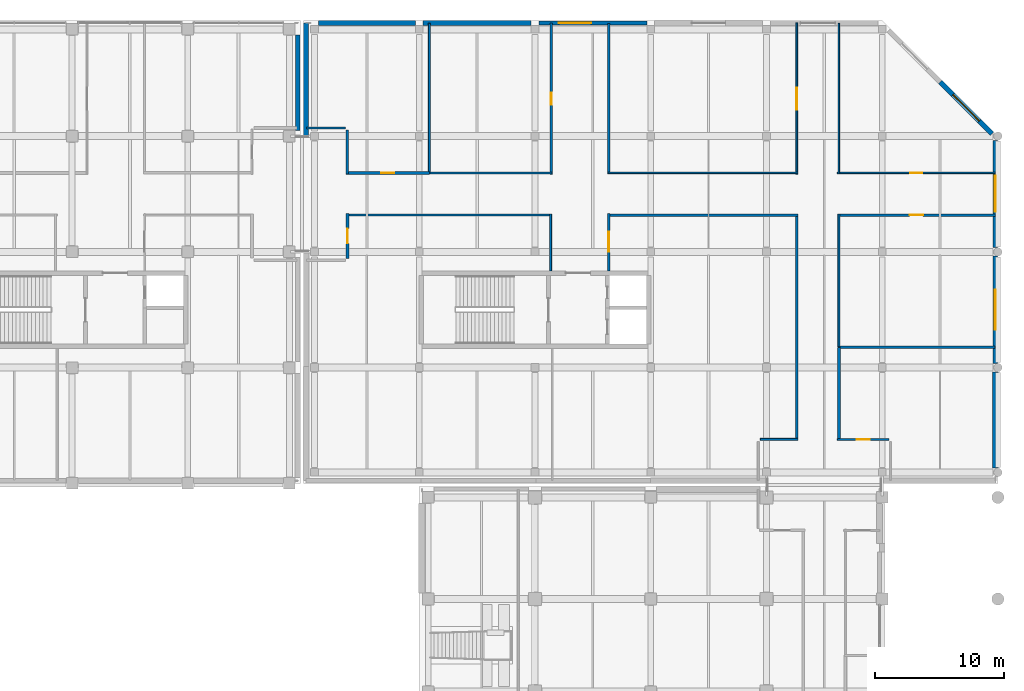
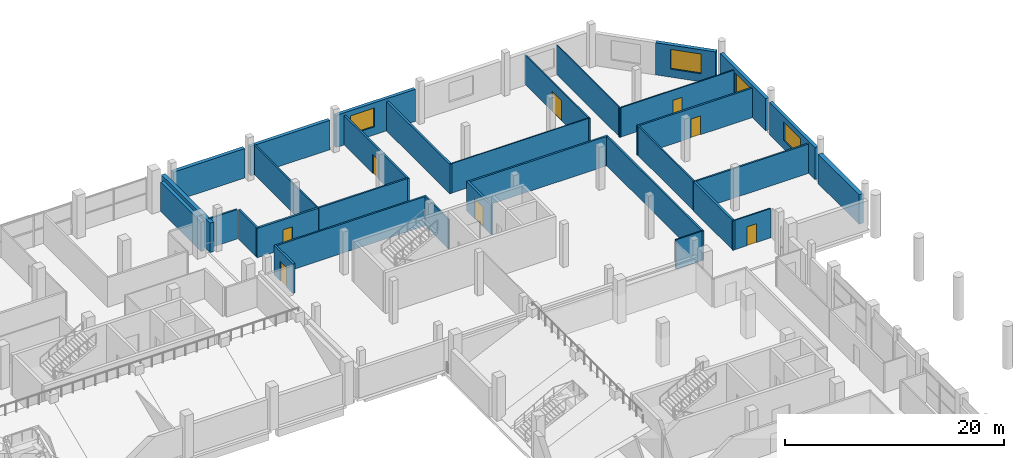
# One storey, part 70 of 100: 32 walls, 8 doors, 4 windows, 12 openings.
"""IFC4 building model written with IfcOpenShell, lengths in metres."""

from ifc_helpers import new_model, si_unit, direction, frame, frame_2d, origin, place, context, subcontext, project, spatial, rectangle, extrude, material, layer, layer_set, type_object, element, fill, save


model = new_model("IFC4")

# Units and contexts
model_context = context("Model", 3, precision=1e-05, world=origin(), true_north=direction((0.0, 1.0)))
body_context = subcontext(model_context, "Body", "Model", "MODEL_VIEW")
ifc_project = project(units=[si_unit("LENGTHUNIT", "METRE"), si_unit("AREAUNIT", "SQUARE_METRE"), si_unit("VOLUMEUNIT", "CUBIC_METRE"), si_unit("PLANEANGLEUNIT", "RADIAN"), si_unit("MASSUNIT", "GRAM", prefix="KILO"), si_unit("THERMODYNAMICTEMPERATUREUNIT", "KELVIN"), si_unit("POWERUNIT", "WATT")], contexts=[model_context])

# Site, building, storey
site_placement = place(None, origin())
site = spatial("IfcSite", under=ifc_project, at=site_placement, CompositionType="ELEMENT")
building_placement = place(site_placement, origin())
building = spatial("IfcBuilding", under=site, at=building_placement, Name="Sindhuravela Promenade Stadium", CompositionType="ELEMENT")
storey_placement = place(building_placement, frame((0.0, 0.0, 4.800048828125)))
storey = spatial("IfcBuildingStorey", under=building, at=storey_placement, Name="L01", CompositionType="ELEMENT", Elevation=4.800048828125)

# Wall, opening, window
ifc_material_1 = material(Name="Terracotta clay brick masonry (15 MPa)", Category="masonry")
ifc_layer_1 = layer(ifc_material_1, 0.340087890625)
ifc_layer_set_1 = layer_set([ifc_layer_1], Name="Terracotta clay brick masonry (15 MPa)")
wall_type_1 = type_object("IfcWallType", Name="EX-WL-BRK340", PredefinedType="SOLIDWALL", material=ifc_layer_set_1)
wall_1_placement = place(storey_placement, frame((180.304931640625, 161.800048828125, 0.0), z_axis=(0.0, 0.0, 1.0), x_axis=(1.0, 0.0, 0.0)))
wall_1 = element("IfcWall", 1, at=wall_1_placement, inside=storey, type_object=wall_type_1, Name="Exterior masonry wall EW06 Pavilion NE L01", PredefinedType="SOLIDWALL", context=body_context, shape_type="SweptSolid", body=[
    extrude(rectangle(XDim=8.39013671875, YDim=0.340087890625, at=frame_2d((4.195068359375, 0.0))), origin(), (0.0, 0.0, 1.0), 3.579833984375),
])
opening_1_placement = place(wall_1_placement, frame((1.552490234375, 0.0, 0.89990234375)))
opening_1 = element("IfcOpeningElement", 2, at=opening_1_placement, cuts=wall_1, Name="Opening W15", PredefinedType="OPENING", context=body_context, shape_type="SweptSolid", body=[
    extrude(rectangle(XDim=2.5, YDim=2.10009765625, at=frame_2d((1.25, 1.050048828125))), frame((0.0, 0.179931640625, 0.0), z_axis=(0.0, -1.0, 0.0), x_axis=(1.0, 0.0, 0.0)), (0.0, 0.0, 1.0), 0.360107421875),
])
ifc_material_2 = material(Name="Tempered laminated low-E glass", Category="glass")
window_type_1 = type_object("IfcWindowType", Name="WN-FAC-2500x2100", PartitioningType="DOUBLE_PANEL_VERTICAL", PredefinedType="WINDOW", material=ifc_material_2)
window_1_placement = place(opening_1_placement, origin())
window_1 = element("IfcWindow", 3, at=window_1_placement, inside=storey, type_object=window_type_1, Name="Window W15 Pavilion NE L01", OverallHeight=2.10009765625, OverallWidth=2.5, PartitioningType="DOUBLE_PANEL_VERTICAL", PredefinedType="WINDOW", context=body_context, shape_type="SweptSolid", body=[
    extrude(rectangle(XDim=2.5, YDim=2.10009765625, at=frame_2d((1.25, 1.050048828125))), frame((0.0, 0.030029296875, 0.0), z_axis=(0.0, -1.0, 0.0), x_axis=(1.0, 0.0, 0.0)), (0.0, 0.0, 1.0), 0.06005859375),
])
fill(opening_1, window_1)

wall_2_placement = place(storey_placement, frame((215.800048828125, 143.669921875, 0.0), z_axis=(0.0, 0.0, 1.0), x_axis=(0.0, -1.0, 0.0)))
wall_2 = element("IfcWall", 4, at=wall_2_placement, inside=storey, type_object=wall_type_1, Name="Exterior masonry wall EW06 Pavilion NE L01", PredefinedType="SOLIDWALL", context=body_context, shape_type="SweptSolid", body=[
    extrude(rectangle(XDim=8.33984375, YDim=0.340087890625, at=frame_2d((4.169921875, 0.0))), origin(), (0.0, 0.0, 1.0), 3.579833984375),
])
opening_2_placement = place(wall_2_placement, frame((2.6201171875, 0.0, 0.89990234375)))
opening_2 = element("IfcOpeningElement", 5, at=opening_2_placement, cuts=wall_2, Name="Opening W21", PredefinedType="OPENING", context=body_context, shape_type="SweptSolid", body=[
    extrude(rectangle(XDim=3.10009765625, YDim=2.10009765625, at=frame_2d((1.550048828125, 1.050048828125))), frame((0.0, 0.179931640625, 0.0), z_axis=(0.0, -1.0, 0.0), x_axis=(1.0, 0.0, 0.0)), (0.0, 0.0, 1.0), 0.360107421875),
])
window_type_2 = type_object("IfcWindowType", Name="WN-FAC-3100x2100", PartitioningType="DOUBLE_PANEL_VERTICAL", PredefinedType="WINDOW", material=ifc_material_2)
window_2_placement = place(opening_2_placement, origin())
window_2 = element("IfcWindow", 6, at=window_2_placement, inside=storey, type_object=window_type_2, Name="Window W21 Pavilion NE L01", OverallHeight=2.10009765625, OverallWidth=3.10009765625, PartitioningType="DOUBLE_PANEL_VERTICAL", PredefinedType="WINDOW", context=body_context, shape_type="SweptSolid", body=[
    extrude(rectangle(XDim=3.10009765625, YDim=2.10009765625, at=frame_2d((1.550048828125, 1.050048828125))), frame((0.0, 0.030029296875, 0.0), z_axis=(0.0, -1.0, 0.0), x_axis=(1.0, 0.0, 0.0)), (0.0, 0.0, 1.0), 0.06005859375),
])
fill(opening_2, window_2)

# Walls
ifc_layer_2 = layer(ifc_material_1, 0.360107421875)
ifc_layer_set_2 = layer_set([ifc_layer_2], Name="Terracotta clay brick masonry (15 MPa)")
wall_type_2 = type_object("IfcWallType", Name="EX-WL-BRK360", PredefinedType="SOLIDWALL", material=ifc_layer_set_2)
wall_3_placement = place(storey_placement, frame((161.550048828125, 160.844970703125, 0.0), z_axis=(0.0, 0.0, 1.0), x_axis=(0.0, -1.0, 0.0)))
element("IfcWall", 7, at=wall_3_placement, inside=storey, type_object=wall_type_2, Name="Exterior masonry wall EW05 NORTH L01", PredefinedType="SOLIDWALL", context=body_context, shape_type="SweptSolid", body=[
    extrude(rectangle(XDim=7.389892578125, YDim=0.360107421875, at=frame_2d((3.69482421875, 0.0))), origin(), (0.0, 0.0, 1.0), 3.280029296875),
])
wall_4_placement = place(storey_placement, frame((171.304931640625, 161.800048828125, 0.0), z_axis=(0.0, 0.0, 1.0), x_axis=(1.0, 0.0, 0.0)))
element("IfcWall", 8, at=wall_4_placement, inside=storey, type_object=wall_type_2, Name="Exterior masonry wall EW05 Pavilion NE L01", PredefinedType="SOLIDWALL", context=body_context, shape_type="SweptSolid", body=[
    extrude(rectangle(XDim=8.39013671875, YDim=0.360107421875, at=frame_2d((4.195068359375, 0.0))), origin(), (0.0, 0.0, 1.0), 3.280029296875),
])

# Wall, opening, window
wall_5_placement = place(storey_placement, frame((215.800048828125, 152.669921875, 0.0), z_axis=(0.0, 0.0, 1.0), x_axis=(0.0, -1.0, 0.0)))
wall_5 = element("IfcWall", 9, at=wall_5_placement, inside=storey, type_object=wall_type_2, Name="Exterior masonry wall EW05 Pavilion NE L01", PredefinedType="SOLIDWALL", context=body_context, shape_type="SweptSolid", body=[
    extrude(rectangle(XDim=8.33984375, YDim=0.360107421875, at=frame_2d((4.169921875, 0.0))), origin(), (0.0, 0.0, 1.0), 3.579833984375),
])
opening_3_placement = place(wall_5_placement, frame((2.77001953125, 0.0, 0.89990234375)))
opening_3 = element("IfcOpeningElement", 10, at=opening_3_placement, cuts=wall_5, Name="Opening W18", PredefinedType="OPENING", context=body_context, shape_type="SweptSolid", body=[
    extrude(rectangle(XDim=2.800048828125, YDim=2.199951171875, at=frame_2d((1.39990234375, 1.10009765625))), frame((0.0, 0.18994140625, 0.0), z_axis=(0.0, -1.0, 0.0), x_axis=(1.0, 0.0, 0.0)), (0.0, 0.0, 1.0), 0.380126953125),
])
window_type_3 = type_object("IfcWindowType", Name="WN-FAC-2800x2200", PartitioningType="DOUBLE_PANEL_VERTICAL", PredefinedType="WINDOW", material=ifc_material_2)
window_3_placement = place(opening_3_placement, origin())
window_3 = element("IfcWindow", 11, at=window_3_placement, inside=storey, type_object=window_type_3, Name="Window W20 Pavilion NE L01", OverallHeight=2.199951171875, OverallWidth=2.800048828125, PartitioningType="DOUBLE_PANEL_VERTICAL", PredefinedType="WINDOW", context=body_context, shape_type="SweptSolid", body=[
    extrude(rectangle(XDim=2.800048828125, YDim=2.199951171875, at=frame_2d((1.39990234375, 1.10009765625))), frame((0.0, 0.030029296875, 0.0), z_axis=(0.0, -1.0, 0.0), x_axis=(1.0, 0.0, 0.0)), (0.0, 0.0, 1.0), 0.06005859375),
])
fill(opening_3, window_3)

# Wall
ifc_layer_3 = layer(ifc_material_1, 0.3798828125)
ifc_layer_set_3 = layer_set([ifc_layer_3], Name="Terracotta clay brick masonry (15 MPa)")
wall_type_3 = type_object("IfcWallType", Name="EX-WL-BRK380", PredefinedType="SOLIDWALL", material=ifc_layer_set_3)
wall_6_placement = place(storey_placement, frame((163.155029296875, 161.800048828125, 0.0), z_axis=(0.0, 0.0, 1.0), x_axis=(1.0, 0.0, 0.0)))
element("IfcWall", 12, at=wall_6_placement, inside=storey, type_object=wall_type_3, Name="Exterior masonry wall EW04 Pavilion NE L01", PredefinedType="SOLIDWALL", context=body_context, shape_type="SweptSolid", body=[
    extrude(rectangle(XDim=7.5400390625, YDim=0.3798828125, at=frame_2d((3.77001953125, 0.0))), origin(), (0.0, 0.0, 1.0), 3.280029296875),
])

# Wall, opening, window
wall_7_placement = place(storey_placement, frame((211.52099609375, 157.196044921875, 0.0), z_axis=(0.0, 0.0, 1.0), x_axis=(0.7071067811865476, -0.7071067811865476, 0.0)))
wall_7 = element("IfcWall", 13, at=wall_7_placement, inside=storey, type_object=wall_type_3, Name="Exterior masonry wall EW04 Pavilion NE L01", PredefinedType="SOLIDWALL", context=body_context, shape_type="SweptSolid", body=[
    extrude(rectangle(XDim=5.669677734375, YDim=0.3798828125, at=frame_2d((2.8349609375, 0.0))), origin(), (0.0, 0.0, 1.0), 3.579833984375),
])
opening_4_placement = place(wall_7_placement, frame((1.384765625, 0.0, 0.89990234375)))
opening_4 = element("IfcOpeningElement", 14, at=opening_4_placement, cuts=wall_7, Name="Opening W19", PredefinedType="OPENING", context=body_context, shape_type="SweptSolid", body=[
    extrude(rectangle(XDim=2.89990234375, YDim=2.199951171875, at=frame_2d((1.449951171875, 1.10009765625))), frame((0.0, 0.199951171875, 0.0), z_axis=(0.0, -1.0, 0.0), x_axis=(1.0, 0.0, 0.0)), (0.0, 0.0, 1.0), 0.39990234375),
])
window_type_4 = type_object("IfcWindowType", Name="WN-FAC-2900x2200", PartitioningType="DOUBLE_PANEL_VERTICAL", PredefinedType="WINDOW", material=ifc_material_2)
window_4_placement = place(opening_4_placement, origin())
window_4 = element("IfcWindow", 15, at=window_4_placement, inside=storey, type_object=window_type_4, Name="Window W19 Pavilion NE L01", OverallHeight=2.199951171875, OverallWidth=2.89990234375, PartitioningType="DOUBLE_PANEL_VERTICAL", PredefinedType="WINDOW", context=body_context, shape_type="SweptSolid", body=[
    extrude(rectangle(XDim=2.89990234375, YDim=2.199951171875, at=frame_2d((1.449951171875, 1.10009765625))), frame((0.0, 0.030029296875, 0.0), z_axis=(0.0, -1.0, 0.0), x_axis=(1.0, 0.0, 0.0)), (0.0, 0.0, 1.0), 0.06005859375),
])
fill(opening_4, window_4)

# Walls
ifc_layer_4 = layer(ifc_material_1, 0.39990234375)
ifc_layer_set_4 = layer_set([ifc_layer_4], Name="Terracotta clay brick masonry (15 MPa)")
wall_type_4 = type_object("IfcWallType", Name="EX-WL-BRK400", PredefinedType="SOLIDWALL", material=ifc_layer_set_4)
wall_8_placement = place(storey_placement, frame((162.199951171875, 152.89990234375, 0.0), z_axis=(0.0, 0.0, 1.0), x_axis=(0.0, 1.0, 0.0)))
element("IfcWall", 16, at=wall_8_placement, inside=storey, type_object=wall_type_4, Name="Exterior masonry wall EW03 Pavilion NE L01", PredefinedType="SOLIDWALL", context=body_context, shape_type="SweptSolid", body=[
    extrude(rectangle(XDim=8.900146484375, YDim=0.39990234375, at=frame_2d((4.4501953125, 0.0))), origin(), (0.0, 0.0, 1.0), 3.280029296875),
])
ifc_layer_5 = layer(ifc_material_1, 0.4599609375)
ifc_layer_set_5 = layer_set([ifc_layer_5], Name="Terracotta clay brick masonry (15 MPa)")
wall_type_5 = type_object("IfcWallType", Name="EX-WL-BRK460", PredefinedType="SOLIDWALL", material=ifc_layer_set_5)
wall_9_placement = place(storey_placement, frame((215.800048828125, 134.669921875, 0.0), z_axis=(0.0, 0.0, 1.0), x_axis=(0.0, -1.0, 0.0)))
element("IfcWall", 17, at=wall_9_placement, inside=storey, type_object=wall_type_5, Name="Exterior masonry wall EW01 Pavilion NE L01", PredefinedType="SOLIDWALL", context=body_context, shape_type="SweptSolid", body=[
    extrude(rectangle(XDim=7.489990234375, YDim=0.4599609375, at=frame_2d((3.7451171875, 0.0))), origin(), (0.0, 0.0, 1.0), 3.280029296875),
])
ifc_material_3 = material(Name="Fire-rated gypsum partition board", Category="gypsum")
ifc_layer_6 = layer(ifc_material_3, 0.110107421875)
ifc_layer_set_6 = layer_set([ifc_layer_6], Name="Fire-rated gypsum partition board")
wall_type_6 = type_object("IfcWallType", Name="IN-WL-PAR110", PredefinedType="PARTITIONING", material=ifc_layer_set_6)
wall_10_placement = place(storey_placement, frame((200.43994140625, 150.139892578125, 0.0), z_axis=(0.0, 0.0, 1.0), x_axis=(-1.0, 0.0, 0.0)))
element("IfcWall", 18, at=wall_10_placement, inside=storey, type_object=wall_type_6, Name="Interior partition IW06 Pavilion NE L01", PredefinedType="PARTITIONING", context=body_context, shape_type="SweptSolid", body=[
    extrude(rectangle(XDim=14.780029296875, YDim=0.110107421875, at=frame_2d((7.39013671875, 0.0))), origin(), (0.0, 0.0, 1.0), 3.280029296875),
])
wall_11_placement = place(storey_placement, frame((203.639892578125, 150.06005859375, 0.0), z_axis=(0.0, 0.0, 1.0), x_axis=(0.0, 1.0, 0.0)))
element("IfcWall", 19, at=wall_11_placement, inside=storey, type_object=wall_type_6, Name="Interior partition IW06 Pavilion NE L01", PredefinedType="PARTITIONING", context=body_context, shape_type="SweptSolid", body=[
    extrude(rectangle(XDim=11.699951171875, YDim=0.110107421875, at=frame_2d((5.85009765625, 0.0))), origin(), (0.0, 0.0, 1.0), 3.280029296875),
])

# Wall, opening, door
ifc_layer_7 = layer(ifc_material_3, 0.1298828125)
ifc_layer_set_7 = layer_set([ifc_layer_7], Name="Fire-rated gypsum partition board")
wall_type_7 = type_object("IfcWallType", Name="IN-WL-PAR130", PredefinedType="PARTITIONING", material=ifc_layer_set_7)
wall_12_placement = place(storey_placement, frame((200.360107421875, 150.02001953125, 0.0), z_axis=(0.0, 0.0, 1.0), x_axis=(0.0, 1.0, 0.0)))
wall_12 = element("IfcWall", 20, at=wall_12_placement, inside=storey, type_object=wall_type_7, Name="Corridor partition IW05 Refreshment Counter NE L01", PredefinedType="PARTITIONING", context=body_context, shape_type="SweptSolid", body=[
    extrude(rectangle(XDim=11.780029296875, YDim=0.1298828125, at=frame_2d((5.89013671875, 0.0))), origin(), (0.0, 0.0, 1.0), 3.280029296875),
])
opening_5_placement = place(wall_12_placement, frame((5.0400390625, 0.0, 0.0)))
opening_5 = element("IfcOpeningElement", 21, at=opening_5_placement, cuts=wall_12, Name="Opening ID01", PredefinedType="OPENING", context=body_context, shape_type="SweptSolid", body=[
    extrude(rectangle(XDim=1.699951171875, YDim=2.199951171875, at=frame_2d((0.85009765625, 1.10009765625))), frame((0.0, 0.074951171875, 0.0), z_axis=(0.0, -1.0, 0.0), x_axis=(1.0, 0.0, 0.0)), (0.0, 0.0, 1.0), 0.14990234375),
])
ifc_material_4 = material(Name="Architectural teak timber leaf", Category="wood")
door_type_1 = type_object("IfcDoorType", Name="DR-INT-1700x2200", OperationType="DOUBLE_DOOR_SINGLE_SWING", PredefinedType="DOOR", material=ifc_material_4)
door_1_placement = place(opening_5_placement, origin())
door_1 = element("IfcDoor", 22, at=door_1_placement, inside=storey, type_object=door_type_1, Name="Refreshment Counter NE L01 door", OperationType="DOUBLE_DOOR_SINGLE_SWING", OverallHeight=2.199951171875, OverallWidth=1.699951171875, PredefinedType="DOOR", context=body_context, shape_type="SweptSolid", body=[
    extrude(rectangle(XDim=1.699951171875, YDim=2.199951171875, at=frame_2d((0.85009765625, 1.10009765625))), frame((0.0, 0.02490234375, 0.0), z_axis=(0.0, -1.0, 0.0), x_axis=(1.0, 0.0, 0.0)), (0.0, 0.0, 1.0), 0.050048828125),
])
fill(opening_5, door_1)

wall_13_placement = place(storey_placement, frame((203.52001953125, 129.409912109375, 0.0), z_axis=(0.0, 0.0, 1.0), x_axis=(1.0, 0.0, 0.0)))
wall_13 = element("IfcWall", 23, at=wall_13_placement, inside=storey, type_object=wall_type_7, Name="Corridor partition IW05 Gate Concourse Foyer NE L01 2", PredefinedType="PARTITIONING", context=body_context, shape_type="SweptSolid", body=[
    extrude(rectangle(XDim=4.0, YDim=0.1298828125, at=frame_2d((2.0, 0.0))), origin(), (0.0, 0.0, 1.0), 3.280029296875),
])
opening_6_placement = place(wall_13_placement, frame((1.5, 0.0, 0.0)))
opening_6 = element("IfcOpeningElement", 24, at=opening_6_placement, cuts=wall_13, Name="Opening ID08", PredefinedType="OPENING", context=body_context, shape_type="SweptSolid", body=[
    extrude(rectangle(XDim=1.0, YDim=2.10009765625, at=frame_2d((0.5, 1.050048828125))), frame((0.0, 0.074951171875, 0.0), z_axis=(0.0, -1.0, 0.0), x_axis=(1.0, 0.0, 0.0)), (0.0, 0.0, 1.0), 0.14990234375),
])
door_type_2 = type_object("IfcDoorType", Name="DR-INT-1000x2100", OperationType="NOTDEFINED", PredefinedType="DOOR", material=ifc_material_4)
door_2_placement = place(opening_6_placement, origin())
door_2 = element("IfcDoor", 25, at=door_2_placement, inside=storey, type_object=door_type_2, Name="Gate Concourse Foyer NE L01 2 door", OperationType="SINGLE_SWING_LEFT", OverallHeight=2.10009765625, OverallWidth=1.0, PredefinedType="DOOR", context=body_context, shape_type="SweptSolid", body=[
    extrude(rectangle(XDim=1.0, YDim=2.10009765625, at=frame_2d((0.5, 1.050048828125))), frame((0.0, 0.02490234375, 0.0), z_axis=(0.0, -1.0, 0.0), x_axis=(1.0, 0.0, 0.0)), (0.0, 0.0, 1.0), 0.050048828125),
])
fill(opening_6, door_2)

wall_14_placement = place(storey_placement, frame((203.52001953125, 150.139892578125, 0.0), z_axis=(0.0, 0.0, 1.0), x_axis=(1.0, 0.0, 0.0)))
wall_14 = element("IfcWall", 26, at=wall_14_placement, inside=storey, type_object=wall_type_7, Name="Corridor partition IW05 Refreshment Counter NE L01 4", PredefinedType="PARTITIONING", context=body_context, shape_type="SweptSolid", body=[
    extrude(rectangle(XDim=12.280029296875, YDim=0.1298828125, at=frame_2d((6.14013671875, 0.0))), origin(), (0.0, 0.0, 1.0), 3.280029296875),
])
opening_7_placement = place(wall_14_placement, frame((5.6650390625, 0.0, 0.0)))
opening_7 = element("IfcOpeningElement", 27, at=opening_7_placement, cuts=wall_14, Name="Opening ID10", PredefinedType="OPENING", context=body_context, shape_type="SweptSolid", body=[
    extrude(rectangle(XDim=0.949951171875, YDim=2.179931640625, at=frame_2d((0.47509765625, 1.08984375))), frame((0.0, 0.074951171875, 0.0), z_axis=(0.0, -1.0, 0.0), x_axis=(1.0, 0.0, 0.0)), (0.0, 0.0, 1.0), 0.14990234375),
])
door_type_3 = type_object("IfcDoorType", Name="DR-INT-950x2180", OperationType="NOTDEFINED", PredefinedType="DOOR", material=ifc_material_4)
door_3_placement = place(opening_7_placement, origin())
door_3 = element("IfcDoor", 28, at=door_3_placement, inside=storey, type_object=door_type_3, Name="Refreshment Counter NE L01 4 door", OperationType="SINGLE_SWING_LEFT", OverallHeight=2.179931640625, OverallWidth=0.949951171875, PredefinedType="DOOR", context=body_context, shape_type="SweptSolid", body=[
    extrude(rectangle(XDim=0.949951171875, YDim=2.179931640625, at=frame_2d((0.47509765625, 1.08984375))), frame((0.0, 0.02490234375, 0.0), z_axis=(0.0, -1.0, 0.0), x_axis=(1.0, 0.0, 0.0)), (0.0, 0.0, 1.0), 0.050048828125),
])
fill(opening_7, door_3)

# Walls
ifc_layer_8 = layer(ifc_material_3, 0.14990234375)
ifc_layer_set_8 = layer_set([ifc_layer_8], Name="Fire-rated gypsum partition board")
wall_type_8 = type_object("IfcWallType", Name="IN-WL-PAR150", PredefinedType="PARTITIONING", material=ifc_layer_set_8)
wall_15_placement = place(storey_placement, frame((200.43994140625, 129.409912109375, 0.0), z_axis=(0.0, 0.0, 1.0), x_axis=(-1.0, 0.0, 0.0)))
element("IfcWall", 29, at=wall_15_placement, inside=storey, type_object=wall_type_8, Name="Interior partition IW04 Pavilion NE L01", PredefinedType="PARTITIONING", context=body_context, shape_type="SweptSolid", body=[
    extrude(rectangle(XDim=2.919921875, YDim=0.14990234375, at=frame_2d((1.4599609375, 0.0))), origin(), (0.0, 0.0, 1.0), 3.280029296875),
])
wall_16_placement = place(storey_placement, frame((181.219970703125, 146.93994140625, 0.0), z_axis=(0.0, 0.0, 1.0), x_axis=(0.0, -1.0, 0.0)))
element("IfcWall", 30, at=wall_16_placement, inside=storey, type_object=wall_type_8, Name="Interior partition IW04 Pavilion NE L01", PredefinedType="PARTITIONING", context=body_context, shape_type="SweptSolid", body=[
    extrude(rectangle(XDim=4.412841796875, YDim=0.14990234375, at=frame_2d((2.20654296875, 0.0))), origin(), (0.0, 0.0, 1.0), 3.280029296875),
])
wall_17_placement = place(storey_placement, frame((203.639892578125, 136.6298828125, 0.0), z_axis=(0.0, 0.0, 1.0), x_axis=(0.0, 1.0, 0.0)))
element("IfcWall", 31, at=wall_17_placement, inside=storey, type_object=wall_type_8, Name="Interior partition IW04 Pavilion NE L01", PredefinedType="PARTITIONING", context=body_context, shape_type="SweptSolid", body=[
    extrude(rectangle(XDim=10.31005859375, YDim=0.14990234375, at=frame_2d((5.155029296875, 0.0))), origin(), (0.0, 0.0, 1.0), 3.280029296875),
])
wall_18_placement = place(storey_placement, frame((171.7900390625, 150.06005859375, 0.0), z_axis=(0.0, 0.0, 1.0), x_axis=(0.0, 1.0, 0.0)))
element("IfcWall", 32, at=wall_18_placement, inside=storey, type_object=wall_type_8, Name="Interior partition IW04 Pavilion NE L01", PredefinedType="PARTITIONING", context=body_context, shape_type="SweptSolid", body=[
    extrude(rectangle(XDim=11.699951171875, YDim=0.14990234375, at=frame_2d((5.85009765625, 0.0))), origin(), (0.0, 0.0, 1.0), 3.280029296875),
])
ifc_layer_9 = layer(ifc_material_3, 0.175048828125)
ifc_layer_set_9 = layer_set([ifc_layer_9], Name="Fire-rated gypsum partition board")
wall_type_9 = type_object("IfcWallType", Name="IN-WL-PAR175", PredefinedType="PARTITIONING", material=ifc_layer_set_9)
wall_19_placement = place(storey_placement, frame((200.360107421875, 146.93994140625, 0.0), z_axis=(0.0, 0.0, 1.0), x_axis=(0.0, -1.0, 0.0)))
element("IfcWall", 33, at=wall_19_placement, inside=storey, type_object=wall_type_9, Name="Interior partition IW03 Pavilion NE L01", PredefinedType="PARTITIONING", context=body_context, shape_type="SweptSolid", body=[
    extrude(rectangle(XDim=17.60986328125, YDim=0.175048828125, at=frame_2d((8.804931640625, 0.0))), origin(), (0.0, 0.0, 1.0), 3.280029296875),
])
wall_20_placement = place(storey_placement, frame((165.330078125, 146.860107421875, 0.0), z_axis=(0.0, 0.0, 1.0), x_axis=(1.0, 0.0, 0.0)))
element("IfcWall", 34, at=wall_20_placement, inside=storey, type_object=wall_type_9, Name="Interior partition IW03 Pavilion NE L01", PredefinedType="PARTITIONING", context=body_context, shape_type="SweptSolid", body=[
    extrude(rectangle(XDim=15.969970703125, YDim=0.175048828125, at=frame_2d((7.98486328125, 0.0))), origin(), (0.0, 0.0, 1.0), 3.280029296875),
])
wall_21_placement = place(storey_placement, frame((215.760009765625, 136.590087890625, 0.0), z_axis=(0.0, 0.0, 1.0), x_axis=(-1.0, 0.0, 0.0)))
element("IfcWall", 35, at=wall_21_placement, inside=storey, type_object=wall_type_9, Name="Interior partition IW03 Pavilion NE L01", PredefinedType="PARTITIONING", context=body_context, shape_type="SweptSolid", body=[
    extrude(rectangle(XDim=12.199951171875, YDim=0.175048828125, at=frame_2d((6.10009765625, 0.0))), origin(), (0.0, 0.0, 1.0), 3.280029296875),
])
wall_22_placement = place(storey_placement, frame((181.340087890625, 150.139892578125, 0.0), z_axis=(0.0, 0.0, 1.0), x_axis=(-1.0, 0.0, 0.0)))
element("IfcWall", 36, at=wall_22_placement, inside=storey, type_object=wall_type_9, Name="Interior partition IW03 Pavilion NE L01", PredefinedType="PARTITIONING", context=body_context, shape_type="SweptSolid", body=[
    extrude(rectangle(XDim=9.510009765625, YDim=0.175048828125, at=frame_2d((4.7548828125, 0.0))), origin(), (0.0, 0.0, 1.0), 3.280029296875),
])
wall_23_placement = place(storey_placement, frame((165.25, 153.639892578125, 0.0), z_axis=(0.0, 0.0, 1.0), x_axis=(-1.0, 0.0, 0.0)))
element("IfcWall", 37, at=wall_23_placement, inside=storey, type_object=wall_type_9, Name="Interior partition IW03 Pavilion NE L01", PredefinedType="PARTITIONING", context=body_context, shape_type="SweptSolid", body=[
    extrude(rectangle(XDim=3.010009765625, YDim=0.175048828125, at=frame_2d((1.5048828125, 0.0))), origin(), (0.0, 0.0, 1.0), 3.280029296875),
])
ifc_layer_10 = layer(ifc_material_3, 0.195068359375)
ifc_layer_set_10 = layer_set([ifc_layer_10], Name="Fire-rated gypsum partition board")
wall_type_10 = type_object("IfcWallType", Name="IN-WL-PAR195", PredefinedType="PARTITIONING", material=ifc_layer_set_10)
wall_24_placement = place(storey_placement, frame((185.659912109375, 146.860107421875, 0.0), z_axis=(0.0, 0.0, 1.0), x_axis=(1.0, 0.0, 0.0)))
element("IfcWall", 38, at=wall_24_placement, inside=storey, type_object=wall_type_10, Name="Interior partition IW02 Pavilion NE L01", PredefinedType="PARTITIONING", context=body_context, shape_type="SweptSolid", body=[
    extrude(rectangle(XDim=14.780029296875, YDim=0.195068359375, at=frame_2d((7.39013671875, 0.0))), origin(), (0.0, 0.0, 1.0), 3.280029296875),
])

# Wall, opening, door
wall_25_placement = place(storey_placement, frame((215.800048828125, 146.860107421875, 0.0), z_axis=(0.0, 0.0, 1.0), x_axis=(-1.0, 0.0, 0.0)))
wall_25 = element("IfcWall", 39, at=wall_25_placement, inside=storey, type_object=wall_type_10, Name="Corridor partition IW02 Accessible WC NE L01", PredefinedType="PARTITIONING", context=body_context, shape_type="SweptSolid", body=[
    extrude(rectangle(XDim=12.280029296875, YDim=0.195068359375, at=frame_2d((6.14013671875, 0.0))), origin(), (0.0, 0.0, 1.0), 3.280029296875),
])
opening_8_placement = place(wall_25_placement, frame((5.614990234375, 0.0, 0.0)))
opening_8 = element("IfcOpeningElement", 40, at=opening_8_placement, cuts=wall_25, Name="Opening ID07", PredefinedType="OPENING", context=body_context, shape_type="SweptSolid", body=[
    extrude(rectangle(XDim=1.050048828125, YDim=2.10009765625, at=frame_2d((0.52490234375, 1.050048828125))), frame((0.0, 0.107421875, 0.0), z_axis=(0.0, -1.0, 0.0), x_axis=(1.0, 0.0, 0.0)), (0.0, 0.0, 1.0), 0.215087890625),
])
door_type_4 = type_object("IfcDoorType", Name="DR-INT-1050x2100", OperationType="NOTDEFINED", PredefinedType="DOOR", material=ifc_material_4)
door_4_placement = place(opening_8_placement, origin())
door_4 = element("IfcDoor", 41, at=door_4_placement, inside=storey, type_object=door_type_4, Name="Accessible WC NE L01 door", OperationType="SINGLE_SWING_RIGHT", OverallHeight=2.10009765625, OverallWidth=1.050048828125, PredefinedType="DOOR", context=body_context, shape_type="SweptSolid", body=[
    extrude(rectangle(XDim=1.050048828125, YDim=2.10009765625, at=frame_2d((0.52490234375, 1.050048828125))), frame((0.0, 0.02490234375, 0.0), z_axis=(0.0, -1.0, 0.0), x_axis=(1.0, 0.0, 0.0)), (0.0, 0.0, 1.0), 0.050048828125),
])
fill(opening_8, door_4)

wall_26_placement = place(storey_placement, frame((181.260009765625, 150.02001953125, 0.0), z_axis=(0.0, 0.0, 1.0), x_axis=(0.0, 1.0, 0.0)))
wall_26 = element("IfcWall", 42, at=wall_26_placement, inside=storey, type_object=wall_type_10, Name="Corridor partition IW02 Supporters Information Lounge NE 3", PredefinedType="PARTITIONING", context=body_context, shape_type="SweptSolid", body=[
    extrude(rectangle(XDim=11.780029296875, YDim=0.195068359375, at=frame_2d((5.89013671875, 0.0))), origin(), (0.0, 0.0, 1.0), 3.280029296875),
])
opening_9_placement = place(wall_26_placement, frame((5.4150390625, 0.0, 0.0)))
opening_9 = element("IfcOpeningElement", 43, at=opening_9_placement, cuts=wall_26, Name="Opening ID09", PredefinedType="OPENING", context=body_context, shape_type="SweptSolid", body=[
    extrude(rectangle(XDim=0.949951171875, YDim=2.10009765625, at=frame_2d((0.47509765625, 1.050048828125))), frame((0.0, 0.107421875, 0.0), z_axis=(0.0, -1.0, 0.0), x_axis=(1.0, 0.0, 0.0)), (0.0, 0.0, 1.0), 0.215087890625),
])
door_type_5 = type_object("IfcDoorType", Name="DR-INT-950x2100", OperationType="NOTDEFINED", PredefinedType="DOOR", material=ifc_material_4)
door_5_placement = place(opening_9_placement, origin())
door_5 = element("IfcDoor", 44, at=door_5_placement, inside=storey, type_object=door_type_5, Name="Supporters Information Lounge NE 3 door", OperationType="SINGLE_SWING_RIGHT", OverallHeight=2.10009765625, OverallWidth=0.949951171875, PredefinedType="DOOR", context=body_context, shape_type="SweptSolid", body=[
    extrude(rectangle(XDim=0.949951171875, YDim=2.10009765625, at=frame_2d((0.47509765625, 1.050048828125))), frame((0.0, 0.02490234375, 0.0), z_axis=(0.0, -1.0, 0.0), x_axis=(1.0, 0.0, 0.0)), (0.0, 0.0, 1.0), 0.050048828125),
])
fill(opening_9, door_5)

# Wall
wall_27_placement = place(storey_placement, frame((165.409912109375, 150.06005859375, 0.0), z_axis=(0.0, 0.0, 1.0), x_axis=(0.0, 1.0, 0.0)))
element("IfcWall", 45, at=wall_27_placement, inside=storey, type_object=wall_type_10, Name="Interior partition IW02 Pavilion NE L01", PredefinedType="PARTITIONING", context=body_context, shape_type="SweptSolid", body=[
    extrude(rectangle(XDim=3.419921875, YDim=0.195068359375, at=frame_2d((1.7099609375, 0.0))), origin(), (0.0, 0.0, 1.0), 3.280029296875),
])

# Wall, opening, door
ifc_layer_11 = layer(ifc_material_3, 0.219970703125)
ifc_layer_set_11 = layer_set([ifc_layer_11], Name="Fire-rated gypsum partition board")
wall_type_11 = type_object("IfcWallType", Name="IN-WL-PAR220", PredefinedType="PARTITIONING", material=ifc_layer_set_11)
wall_28_placement = place(storey_placement, frame((185.739990234375, 146.97998046875, 0.0), z_axis=(0.0, 0.0, 1.0), x_axis=(0.0, -1.0, 0.0)))
wall_28 = element("IfcWall", 46, at=wall_28_placement, inside=storey, type_object=wall_type_11, Name="Corridor partition IW01 Gate Concourse Foyer NE L01", PredefinedType="PARTITIONING", context=body_context, shape_type="SweptSolid", body=[
    extrude(rectangle(XDim=4.452880859375, YDim=0.219970703125, at=frame_2d((2.2265625, 0.0))), origin(), (0.0, 0.0, 1.0), 3.280029296875),
])
opening_10_placement = place(wall_28_placement, frame((1.425048828125, 0.0, 0.0)))
opening_10 = element("IfcOpeningElement", 47, at=opening_10_placement, cuts=wall_28, Name="Opening ID02", PredefinedType="OPENING", context=body_context, shape_type="SweptSolid", body=[
    extrude(rectangle(XDim=1.550048828125, YDim=2.199951171875, at=frame_2d((0.77490234375, 1.10009765625))), frame((0.0, 0.119873046875, 0.0), z_axis=(0.0, -1.0, 0.0), x_axis=(1.0, 0.0, 0.0)), (0.0, 0.0, 1.0), 0.239990234375),
])
door_type_6 = type_object("IfcDoorType", Name="DR-INT-1550x2200", OperationType="DOUBLE_DOOR_SINGLE_SWING", PredefinedType="DOOR", material=ifc_material_4)
door_6_placement = place(opening_10_placement, origin())
door_6 = element("IfcDoor", 48, at=door_6_placement, inside=storey, type_object=door_type_6, Name="Gate Concourse Foyer NE L01 door", OperationType="DOUBLE_DOOR_SINGLE_SWING", OverallHeight=2.199951171875, OverallWidth=1.550048828125, PredefinedType="DOOR", context=body_context, shape_type="SweptSolid", body=[
    extrude(rectangle(XDim=1.550048828125, YDim=2.199951171875, at=frame_2d((0.77490234375, 1.10009765625))), frame((0.0, 0.02490234375, 0.0), z_axis=(0.0, -1.0, 0.0), x_axis=(1.0, 0.0, 0.0)), (0.0, 0.0, 1.0), 0.050048828125),
])
fill(opening_10, door_6)

wall_29_placement = place(storey_placement, frame((165.409912109375, 146.97998046875, 0.0), z_axis=(0.0, 0.0, 1.0), x_axis=(0.0, -1.0, 0.0)))
wall_29 = element("IfcWall", 49, at=wall_29_placement, inside=storey, type_object=wall_type_11, Name="Corridor partition IW01 Supporters Information Lounge NE", PredefinedType="PARTITIONING", context=body_context, shape_type="SweptSolid", body=[
    extrude(rectangle(XDim=3.5, YDim=0.219970703125, at=frame_2d((1.75, 0.0))), origin(), (0.0, 0.0, 1.0), 3.280029296875),
])
opening_11_placement = place(wall_29_placement, frame((1.175048828125, 0.0, 0.0)))
opening_11 = element("IfcOpeningElement", 50, at=opening_11_placement, cuts=wall_29, Name="Opening ID05", PredefinedType="OPENING", context=body_context, shape_type="SweptSolid", body=[
    extrude(rectangle(XDim=1.14990234375, YDim=2.14990234375, at=frame_2d((0.574951171875, 1.074951171875))), frame((0.0, 0.119873046875, 0.0), z_axis=(0.0, -1.0, 0.0), x_axis=(1.0, 0.0, 0.0)), (0.0, 0.0, 1.0), 0.239990234375),
])
door_type_7 = type_object("IfcDoorType", Name="DR-INT-1150x2150", OperationType="NOTDEFINED", PredefinedType="DOOR", material=ifc_material_4)
door_7_placement = place(opening_11_placement, origin())
door_7 = element("IfcDoor", 51, at=door_7_placement, inside=storey, type_object=door_type_7, Name="Supporters Information Lounge NE door", OperationType="SINGLE_SWING_LEFT", OverallHeight=2.14990234375, OverallWidth=1.14990234375, PredefinedType="DOOR", context=body_context, shape_type="SweptSolid", body=[
    extrude(rectangle(XDim=1.14990234375, YDim=2.14990234375, at=frame_2d((0.574951171875, 1.074951171875))), frame((0.0, 0.02490234375, 0.0), z_axis=(0.0, -1.0, 0.0), x_axis=(1.0, 0.0, 0.0)), (0.0, 0.0, 1.0), 0.050048828125),
])
fill(opening_11, door_7)

# Walls
wall_30_placement = place(storey_placement, frame((185.739990234375, 150.06005859375, 0.0), z_axis=(0.0, 0.0, 1.0), x_axis=(0.0, 1.0, 0.0)))
element("IfcWall", 52, at=wall_30_placement, inside=storey, type_object=wall_type_11, Name="Interior partition IW01 Pavilion NE L01", PredefinedType="PARTITIONING", context=body_context, shape_type="SweptSolid", body=[
    extrude(rectangle(XDim=11.699951171875, YDim=0.219970703125, at=frame_2d((5.85009765625, 0.0))), origin(), (0.0, 0.0, 1.0), 3.280029296875),
])
wall_31_placement = place(storey_placement, frame((203.639892578125, 129.330078125, 0.0), z_axis=(0.0, 0.0, 1.0), x_axis=(0.0, 1.0, 0.0)))
element("IfcWall", 53, at=wall_31_placement, inside=storey, type_object=wall_type_11, Name="Interior partition IW01 Pavilion NE L01", PredefinedType="PARTITIONING", context=body_context, shape_type="SweptSolid", body=[
    extrude(rectangle(XDim=7.219970703125, YDim=0.219970703125, at=frame_2d((3.60986328125, 0.0))), origin(), (0.0, 0.0, 1.0), 3.280029296875),
])

# Wall, opening, door
wall_32_placement = place(storey_placement, frame((165.2900390625, 150.139892578125, 0.0), z_axis=(0.0, 0.0, 1.0), x_axis=(1.0, 0.0, 0.0)))
wall_32 = element("IfcWall", 54, at=wall_32_placement, inside=storey, type_object=wall_type_11, Name="Corridor partition IW01 Accessible WC NE L01 5", PredefinedType="PARTITIONING", context=body_context, shape_type="SweptSolid", body=[
    extrude(rectangle(XDim=6.5, YDim=0.219970703125, at=frame_2d((3.25, 0.0))), origin(), (0.0, 0.0, 1.0), 3.280029296875),
])
opening_12_placement = place(wall_32_placement, frame((2.739990234375, 0.0, 0.0)))
opening_12 = element("IfcOpeningElement", 55, at=opening_12_placement, cuts=wall_32, Name="Opening ID11", PredefinedType="OPENING", context=body_context, shape_type="SweptSolid", body=[
    extrude(rectangle(XDim=1.02001953125, YDim=2.159912109375, at=frame_2d((0.510009765625, 1.080078125))), frame((0.0, 0.119873046875, 0.0), z_axis=(0.0, -1.0, 0.0), x_axis=(1.0, 0.0, 0.0)), (0.0, 0.0, 1.0), 0.239990234375),
])
door_type_8 = type_object("IfcDoorType", Name="DR-INT-1020x2160", OperationType="NOTDEFINED", PredefinedType="DOOR", material=ifc_material_4)
door_8_placement = place(opening_12_placement, origin())
door_8 = element("IfcDoor", 56, at=door_8_placement, inside=storey, type_object=door_type_8, Name="Accessible WC NE L01 5 door", OperationType="SINGLE_SWING_RIGHT", OverallHeight=2.159912109375, OverallWidth=1.02001953125, PredefinedType="DOOR", context=body_context, shape_type="SweptSolid", body=[
    extrude(rectangle(XDim=1.02001953125, YDim=2.159912109375, at=frame_2d((0.510009765625, 1.080078125))), frame((0.0, 0.02490234375, 0.0), z_axis=(0.0, -1.0, 0.0), x_axis=(1.0, 0.0, 0.0)), (0.0, 0.0, 1.0), 0.050048828125),
])
fill(opening_12, door_8)

save(model, "model.ifc")
